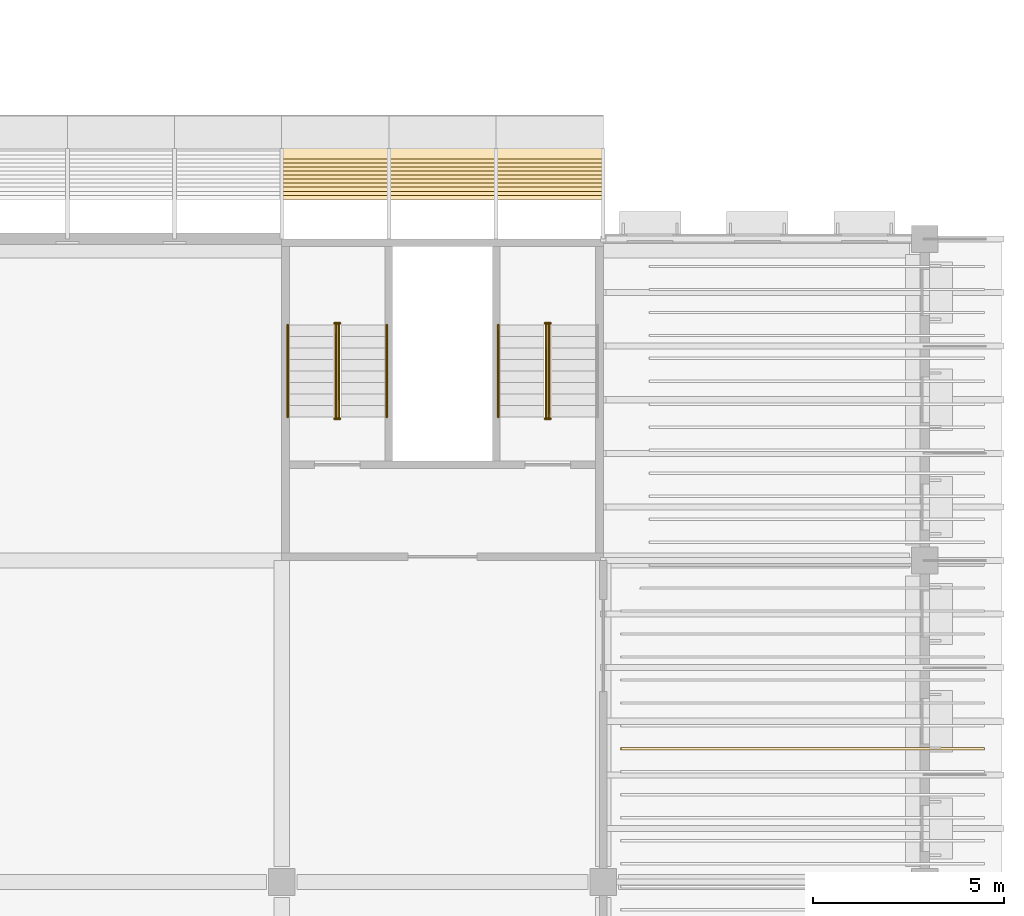
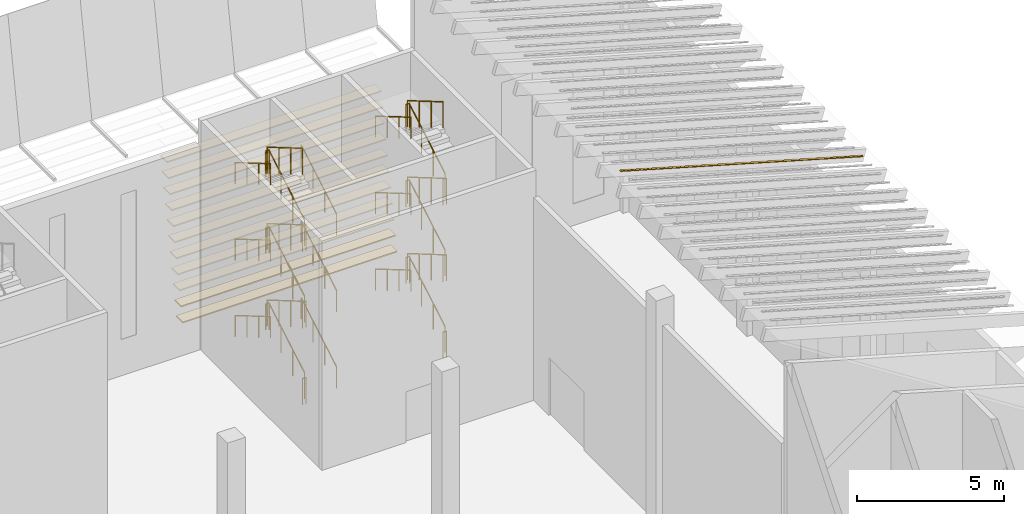
# One storey, part 113 of 114: 33 railings, 12 coverings.
"""IFC4 building model written with IfcOpenShell, lengths in metres."""

import ifcopenshell
import ifcopenshell.guid

model = None  # the IFC model being written
_history = None  # IfcOwnerHistory: only IFC2X3 demands one
_inside = {}  # id of a spatial element -> (the spatial element, [elements in it])
_under = {}  # id of a project, library or spatial element -> (it, [spatial elements below it])
_declared = {}  # id of a project -> (the project, [libraries it declares])
_typed = {}  # id of a type object -> (the type object, [elements of that type])
_made_of = {}  # id of a material, layer set ... -> (it, [elements and type objects made of it])


def new_model(schema):
    """Start an empty IFC model of exactly this schema.

    Asked for "IFC4X3", IfcOpenShell would pick the latest addendum, in which some entities
    have other attributes; the version numbers below select the first issue.
    IFC2X3 requires an IfcOwnerHistory on every rooted entity: one is made here for all.
    """
    global model, _history
    if schema == "IFC4X3":
        model = ifcopenshell.file(schema_version=(4, 3, 0, 0))
    else:
        model = ifcopenshell.file(schema=schema)
    _inside.clear()
    _under.clear()
    _declared.clear()
    _typed.clear()
    _made_of.clear()
    _history = None
    if model.schema == "IFC2X3":
        org = make("IfcOrganization", Name="unknown")
        user = make(
            "IfcPersonAndOrganization",
            ThePerson=make("IfcPerson", FamilyName="unknown"),
            TheOrganization=org,
        )
        app = make(
            "IfcApplication",
            ApplicationDeveloper=org,
            Version="unknown",
            ApplicationFullName="unknown",
            ApplicationIdentifier="unknown",
        )
        _history = make(
            "IfcOwnerHistory",
            OwningUser=user,
            OwningApplication=app,
            ChangeAction="ADDED",
            CreationDate=0,
        )
    return model


def make(cls, **values):
    """One entity of the class cls with the attributes given. An attribute that is None is left unset."""
    return model.create_entity(
        cls, **{name: value for name, value in values.items() if value is not None}
    )


def rooted(cls, **values):
    """An entity with a GlobalId (a new one), such as an element, a storey or a relation."""
    return make(cls, GlobalId=ifcopenshell.guid.new(), OwnerHistory=_history, **values)


def si_unit(unit_type, name, prefix=None):
    """IfcSIUnit, for example si_unit("LENGTHUNIT", "METRE", prefix="MILLI")."""
    return make("IfcSIUnit", UnitType=unit_type, Prefix=prefix, Name=name)


def assignment(units):
    """IfcUnitAssignment: the units of a project."""
    return None if units is None else make("IfcUnitAssignment", Units=units)


def point(xyz):
    """IfcCartesianPoint."""
    return None if xyz is None else make("IfcCartesianPoint", Coordinates=xyz)


def direction(xyz):
    """IfcDirection."""
    return None if xyz is None else make("IfcDirection", DirectionRatios=xyz)


def frame(location, z_axis=None, x_axis=None):
    """IfcAxis2Placement3D, a coordinate frame: its origin and axes. An axis left out is left unset."""
    return make(
        "IfcAxis2Placement3D",
        Location=point(location),
        Axis=direction(z_axis),
        RefDirection=direction(x_axis),
    )


def frame_2d(location, x_axis=None):
    """IfcAxis2Placement2D, a coordinate frame in the plane: its origin and x axis."""
    return make(
        "IfcAxis2Placement2D", Location=point(location), RefDirection=direction(x_axis)
    )


def origin():
    """The frame at (0, 0, 0) with its axes left unset."""
    return frame((0.0, 0.0, 0.0))


def origin_2d():
    """The frame at (0, 0) in the plane with its x axis left unset."""
    return frame_2d((0.0, 0.0))


def place(relative_to, where):
    """IfcLocalPlacement: puts the frame where relative to a parent placement (None: the world)."""
    return make(
        "IfcLocalPlacement", PlacementRelTo=relative_to, RelativePlacement=where
    )


def context(
    kind, dimensions, precision=None, world=None, true_north=None, identifier=None
):
    """IfcGeometricRepresentationContext, for example the 3D "Model" context."""
    return make(
        "IfcGeometricRepresentationContext",
        ContextIdentifier=identifier,
        ContextType=kind,
        CoordinateSpaceDimension=dimensions,
        Precision=precision,
        WorldCoordinateSystem=world,
        TrueNorth=true_north,
    )


def subcontext(parent, identifier, kind, view, scale=None):
    """IfcGeometricRepresentationSubContext, for example "Body" below "Model"."""
    return make(
        "IfcGeometricRepresentationSubContext",
        ContextIdentifier=identifier,
        ContextType=kind,
        ParentContext=parent,
        TargetScale=scale,
        TargetView=view,
    )


def project(units=None, contexts=None):
    """IfcProject with its units and contexts."""
    return rooted(
        "IfcProject",
        Name="project",
        RepresentationContexts=contexts,
        UnitsInContext=assignment(units),
    )


def spatial(cls, under=None, at=None, **own):
    """A site, building, storey or space (cls), placed at a placement, below another one or the project."""
    s = rooted(cls, ObjectPlacement=at, **own)
    if under is not None:
        _under.setdefault(under.id(), (under, []))[1].append(s)
    return s


def polyline(points):
    """IfcPolyline through the points."""
    return make("IfcPolyline", Points=[point(p) for p in points])


def profile(cls, at=None, kind="AREA", **sizes):
    """A parametric profile (cls). Its sizes go by their IFC names, for example OverallWidth=200.0."""
    return make(cls, ProfileType=kind, Position=at, **sizes)


def rectangle(**sizes):
    """IfcRectangleProfileDef."""
    return profile("IfcRectangleProfileDef", **sizes)


def circle(**sizes):
    """IfcCircleProfileDef."""
    return profile("IfcCircleProfileDef", **sizes)


def outline(outer, holes=None, kind="AREA"):
    """IfcArbitraryClosedProfileDef: a profile drawn as a closed curve; with holes, ...WithVoids."""
    if holes is None:
        return make("IfcArbitraryClosedProfileDef", ProfileType=kind, OuterCurve=outer)
    return make(
        "IfcArbitraryProfileDefWithVoids",
        ProfileType=kind,
        OuterCurve=outer,
        InnerCurves=holes,
    )


def extrude(swept, where, along, depth):
    """IfcExtrudedAreaSolid: the profile swept, set in the frame where, extruded along a direction by depth."""
    return make(
        "IfcExtrudedAreaSolid",
        SweptArea=swept,
        Position=where,
        ExtrudedDirection=direction(along),
        Depth=depth,
    )


def shape(context_of_items, identifier, shape_type, items):
    """IfcShapeRepresentation: the items that make up one representation, for example the "Body"."""
    return make(
        "IfcShapeRepresentation",
        ContextOfItems=context_of_items,
        RepresentationIdentifier=identifier,
        RepresentationType=shape_type,
        Items=items,
    )


def material(Name=None, Category=None):
    """IfcMaterial."""
    return make("IfcMaterial", Name=Name, Category=Category)


def layer(
    of_material, thickness, ventilated=None, Name=None, Category=None, Priority=None
):
    """IfcMaterialLayer: one layer of a wall or slab, of a material (None: an air gap)."""
    return make(
        "IfcMaterialLayer",
        Material=of_material,
        LayerThickness=thickness,
        IsVentilated=ventilated,
        Name=Name,
        Category=Category,
        Priority=Priority,
    )


def layer_set(layers, Name=None):
    """IfcMaterialLayerSet."""
    return make("IfcMaterialLayerSet", MaterialLayers=layers, LayerSetName=Name)


def material_profile(
    of_material, cross_section, Name=None, Category=None, Priority=None
):
    """IfcMaterialProfile: a cross section and its material."""
    return make(
        "IfcMaterialProfile",
        Name=Name,
        Material=of_material,
        Profile=cross_section,
        Priority=Priority,
        Category=Category,
    )


def profile_set(profiles, Name=None, composite=None):
    """IfcMaterialProfileSet."""
    return make(
        "IfcMaterialProfileSet",
        Name=Name,
        MaterialProfiles=profiles,
        CompositeProfile=composite,
    )


def made_of(thing, what):
    """Note that an element or type object is made of a material, layer set ...; save() writes the relation."""
    if what is not None:
        _made_of.setdefault(what.id(), (what, []))[1].append(thing)
    return thing


def type_object(cls, material=None, **own):
    """A type object (cls), such as IfcWallType, which elements share."""
    return made_of(rooted(cls, **own), material)


def element(
    cls,
    number,
    at=None,
    inside=None,
    cuts=None,
    type_object=None,
    material=None,
    context=None,
    identifier="Body",
    shape_type=None,
    held_by="IfcProductDefinitionShape",
    body=None,
    shapes=None,
    **own,
):
    """One element of the class cls, such as IfcWall. Its Tag is "e" and its number.

    at: its placement. inside: the storey or other place that contains it. cuts: it is an
    opening in that element (IfcRelVoidsElement). A single representation is given by context,
    identifier, shape_type and body (its items); several are given by shapes. held_by: the class
    of the entity that holds the representations. save() writes the other relations.
    """
    e = rooted(cls, Tag="e%d" % number, ObjectPlacement=at, **own)
    if body is not None:
        shapes = [shape(context, identifier, shape_type, body)]
    if shapes is not None:
        e.Representation = make(held_by, Representations=shapes)
    if inside is not None:
        _inside.setdefault(inside.id(), (inside, []))[1].append(e)
    if cuts is not None:
        rooted(
            "IfcRelVoidsElement", RelatingBuildingElement=cuts, RelatedOpeningElement=e
        )
    if type_object is not None:
        _typed.setdefault(type_object.id(), (type_object, []))[1].append(e)
    return made_of(e, material)


def aggregate(whole, parts):
    """IfcRelAggregates: a whole, such as a stair, and the parts it consists of."""
    return rooted("IfcRelAggregates", RelatingObject=whole, RelatedObjects=parts)


def save(model, path):
    """Write the relations noted so far, then the file.

    IfcRelAggregates (storeys below a building ...), IfcRelContainedInSpatialStructure (elements
    in a storey), IfcRelDefinesByType, IfcRelAssociatesMaterial and IfcRelDeclares: one each for
    every whole, place, type object, material and project.
    """
    for whole, parts in _under.values():
        aggregate(whole, parts)
    for where, things in _inside.values():
        rooted(
            "IfcRelContainedInSpatialStructure",
            RelatedElements=things,
            RelatingStructure=where,
        )
    for kind, things in _typed.values():
        rooted("IfcRelDefinesByType", RelatedObjects=things, RelatingType=kind)
    for what, things in _made_of.values():
        rooted("IfcRelAssociatesMaterial", RelatedObjects=things, RelatingMaterial=what)
    for by, libraries in _declared.values():
        rooted("IfcRelDeclares", RelatingContext=by, RelatedDefinitions=libraries)
    model.write(path)


model = new_model("IFC4")

# Units and contexts
model_context = context("Model", 3, precision=1e-05, world=origin(), true_north=direction((0.0, 1.0)))
body_context = subcontext(model_context, "Body", "Model", "MODEL_VIEW")
ifc_project = project(units=[si_unit("LENGTHUNIT", "METRE"), si_unit("AREAUNIT", "SQUARE_METRE"), si_unit("VOLUMEUNIT", "CUBIC_METRE"), si_unit("PLANEANGLEUNIT", "RADIAN"), si_unit("MASSUNIT", "GRAM", prefix="KILO")], contexts=[model_context])

# Site, building, storey
site_placement = place(None, origin())
site = spatial("IfcSite", under=ifc_project, at=site_placement, CompositionType="ELEMENT")
building_placement = place(site_placement, origin())
building = spatial("IfcBuilding", under=site, at=building_placement, Name="Almond Square Museum", CompositionType="ELEMENT")
storey_placement = place(building_placement, frame((0.0, 0.0, 10.5)))
storey = spatial("IfcBuildingStorey", under=building, at=storey_placement, Name="L02", CompositionType="ELEMENT", Elevation=10.5)

# Coverings
ifc_material_1 = material(Name="Cedar timber louvre board", Category="wood")
ifc_material_profile = material_profile(ifc_material_1, rectangle(XDim=0.449951171875, YDim=0.050048828125, at=origin_2d()))
ifc_profile_set = profile_set([ifc_material_profile], Name="Cedar timber louvre board")
covering_type_1 = type_object("IfcCoveringType", Name="Louvre board 450 x 50", PredefinedType="CLADDING", material=ifc_profile_set)
for number, where, z_axis, x_axis, name in (
    (1, (140.39990234375, 110.45849609375, 0.39990234375), (1.0, 0.0, 0.0), (0.0, 1.0, 0.0), "Louvre board N07.05"),
    (2, (140.39990234375, 110.564453125, 1.0), (1.0, 0.0, 0.0), (0.0, 1.0, 0.0), "Louvre board N08.05"),
    (3, (140.39990234375, 110.670166015625, 1.60009765625), (1.0, 0.0, 0.0), (0.0, 1.0, 0.0), "Louvre board N09.05"),
    (4, (140.39990234375, 110.776123046875, 2.199951171875), (1.0, 0.0, 0.0), (0.0, 1.0, 0.0), "Louvre board N10.05"),
    (5, (140.39990234375, 110.8818359375, 2.800048828125), (1.0, 0.0, 0.0), (0.0, 1.0, 0.0), "Louvre board N11.05"),
    (6, (140.39990234375, 110.987548828125, 3.39990234375), (1.0, 0.0, 0.0), (0.0, 1.0, 0.0), "Louvre board N12.05"),
    (7, (140.39990234375, 111.093505859375, 4.0), (1.0, 0.0, 0.0), (0.0, 1.0, 0.0), "Louvre board N13.05"),
    (8, (140.39990234375, 111.19921875, 4.60009765625), (1.0, 0.0, 0.0), (0.0, 1.0, 0.0), "Louvre board N14.05"),
    (9, (140.39990234375, 111.304931640625, 5.199951171875), (1.0, 0.0, 0.0), (0.0, 1.0, 0.0), "Louvre board N15.05"),
    (10, (140.39990234375, 111.410888671875, 5.800048828125), (1.0, 0.0, 0.0), (0.0, 1.0, 0.0), "Louvre board N16.05"),
    (11, (140.39990234375, 111.5166015625, 6.39990234375), (1.0, 0.0, 0.0), (0.0, 1.0, 0.0), "Louvre board N17.05"),
):
    element("IfcCovering", number, at=place(storey_placement, frame(where, z_axis=z_axis, x_axis=x_axis)), inside=storey, type_object=covering_type_1, Name=name, PredefinedType="CLADDING", context=body_context, shape_type="SweptSolid", body=[
        extrude(rectangle(XDim=0.449951171875, YDim=0.050048828125, at=origin_2d()), origin(), (0.0, 0.0, 1.0), 8.400146484375),
    ])
ifc_material_2 = material(Name="Zinc standing seam")
ifc_layer = layer(ifc_material_2, 0.0400390625)
ifc_layer_set = layer_set([ifc_layer], Name="Zinc standing seam")
covering_type_2 = type_object("IfcCoveringType", Name="Roof standing seam rib 60 x 40", PredefinedType="CLADDING", material=ifc_layer_set)
covering_placement = place(storey_placement, frame((158.75, 95.909912109375, 9.55712890625), z_axis=(0.274727655105, 0.0, 0.9615220827), x_axis=(-0.9615220827, 0.0, 0.274727655105)))
element("IfcCovering", 12, at=covering_placement, inside=storey, type_object=covering_type_2, Name="Roof standing seam rib", PredefinedType="CLADDING", context=body_context, shape_type="SweptSolid", body=[
    extrude(outline(polyline([(0.0, 0.0), (9.880168298704888, 0.0), (9.880168298704888, 0.059814453125000014), (0.0, 0.059814453125000014), (0.0, 0.0)])), origin(), (0.0, 0.0, 1.0), 0.0400390625),
])

# Railings
ifc_material_3 = material(Name="Stainless steel and laminated glass", Category="steel")
railing_type_1 = type_object("IfcRailingType", Name="Stair guard 1100 steel and glass", PredefinedType="GUARDRAIL", material=ifc_material_3)
railing_1_placement = place(storey_placement, frame((141.889892578125, 104.550048828125, 0.176025390625)))
element("IfcRailing", 13, at=railing_1_placement, inside=storey, type_object=railing_type_1, Name="L02 ST-05 stair guard 1", PredefinedType="GUARDRAIL", context=body_context, shape_type="SweptSolid", body=[
    extrude(circle(Radius=0.02392578125, at=origin_2d()), frame((0.0, 0.0, 1.076171875), z_axis=(0.0, 0.862637233918, 0.505823094232), x_axis=(-1.0, 0.0, 0.0)), (0.0, 0.0, 1.0), 2.781982421875),
    extrude(circle(Radius=0.02099609375, at=origin_2d()), origin(), (0.0, 0.0, 1.0), 1.052001953125),
    extrude(circle(Radius=0.02099609375, at=origin_2d()), frame((0.0, 0.800048828125, 0.468994140625)), (0.0, 0.0, 1.0), 1.052001953125),
    extrude(circle(Radius=0.02099609375, at=origin_2d()), frame((0.0, 1.599853515625, 0.938232421875)), (0.0, 0.0, 1.0), 1.052001953125),
    extrude(circle(Radius=0.02099609375, at=origin_2d()), frame((0.0, 2.39990234375, 1.4072265625)), (0.0, 0.0, 1.0), 1.052001953125),
])
railing_2_placement = place(storey_placement, frame((141.919921875, 107.0, 1.583251953125)))
element("IfcRailing", 14, at=railing_2_placement, inside=storey, type_object=railing_type_1, Name="L02 ST-05 stair guard 2", PredefinedType="GUARDRAIL", context=body_context, shape_type="SweptSolid", body=[
    extrude(circle(Radius=0.02392578125, at=origin_2d()), frame((0.0, 0.0, 1.076171875), z_axis=(-1.0, 0.0, 0.0), x_axis=(0.0, -1.0, 0.0)), (0.0, 0.0, 1.0), 0.139892578125),
    extrude(circle(Radius=0.02099609375, at=origin_2d()), origin(), (0.0, 0.0, 1.0), 1.052001953125),
    extrude(circle(Radius=0.02099609375, at=origin_2d()), frame((-0.139892578125, 0.0, 0.0)), (0.0, 0.0, 1.0), 1.052001953125),
])
railing_3_placement = place(storey_placement, frame((141.81005859375, 106.949951171875, 1.75927734375)))
element("IfcRailing", 15, at=railing_3_placement, inside=storey, type_object=railing_type_1, Name="L02 ST-05 stair guard 3", PredefinedType="GUARDRAIL", context=body_context, shape_type="SweptSolid", body=[
    extrude(circle(Radius=0.02392578125, at=origin_2d()), frame((0.0, 0.0, 1.076171875), z_axis=(0.0, -0.86259894172, 0.505888392576), x_axis=(1.0, 0.0, 0.0)), (0.0, 0.0, 1.0), 2.7822265625),
    extrude(circle(Radius=0.02099609375, at=origin_2d()), origin(), (0.0, 0.0, 1.0), 1.052001953125),
    extrude(circle(Radius=0.02099609375, at=origin_2d()), frame((0.0, -0.800048828125, 0.46923828125)), (0.0, 0.0, 1.0), 1.052001953125),
    extrude(circle(Radius=0.02099609375, at=origin_2d()), frame((0.0, -1.599853515625, 0.938232421875)), (0.0, 0.0, 1.0), 1.052001953125),
    extrude(circle(Radius=0.02099609375, at=origin_2d()), frame((0.0, -2.39990234375, 1.407470703125)), (0.0, 0.0, 1.0), 1.052001953125),
])
railing_4_placement = place(storey_placement, frame((141.919921875, 104.5, 3.166748046875)))
element("IfcRailing", 16, at=railing_4_placement, inside=storey, type_object=railing_type_1, Name="L02 ST-05 stair guard 4", PredefinedType="GUARDRAIL", context=body_context, shape_type="SweptSolid", body=[
    extrude(circle(Radius=0.02392578125, at=origin_2d()), frame((0.0, 0.0, 1.076171875), z_axis=(-1.0, 0.0, 0.0), x_axis=(0.0, -1.0, 0.0)), (0.0, 0.0, 1.0), 0.139892578125),
    extrude(circle(Radius=0.02099609375, at=origin_2d()), origin(), (0.0, 0.0, 1.0), 1.052001953125),
    extrude(circle(Radius=0.02099609375, at=origin_2d()), frame((-0.139892578125, 0.0, 0.0)), (0.0, 0.0, 1.0), 1.052001953125),
])
railing_5_placement = place(storey_placement, frame((141.889892578125, 104.550048828125, 3.342529296875)))
element("IfcRailing", 17, at=railing_5_placement, inside=storey, type_object=railing_type_1, Name="L02 ST-05 stair guard 5", PredefinedType="GUARDRAIL", context=body_context, shape_type="SweptSolid", body=[
    extrude(circle(Radius=0.02392578125, at=origin_2d()), frame((0.0, 0.0, 1.076171875), z_axis=(0.0, 0.86259894172, 0.505888392576), x_axis=(-1.0, 0.0, 0.0)), (0.0, 0.0, 1.0), 2.7822265625),
    extrude(circle(Radius=0.02099609375, at=origin_2d()), origin(), (0.0, 0.0, 1.0), 1.052001953125),
    extrude(circle(Radius=0.02099609375, at=origin_2d()), frame((0.0, 0.800048828125, 0.46923828125)), (0.0, 0.0, 1.0), 1.052001953125),
    extrude(circle(Radius=0.02099609375, at=origin_2d()), frame((0.0, 1.599853515625, 0.938232421875)), (0.0, 0.0, 1.0), 1.052001953125),
    extrude(circle(Radius=0.02099609375, at=origin_2d()), frame((0.0, 2.39990234375, 1.407470703125)), (0.0, 0.0, 1.0), 1.052001953125),
])
railing_6_placement = place(storey_placement, frame((141.919921875, 107.0, 4.75)))
element("IfcRailing", 18, at=railing_6_placement, inside=storey, type_object=railing_type_1, Name="L02 ST-05 stair guard 6", PredefinedType="GUARDRAIL", context=body_context, shape_type="SweptSolid", body=[
    extrude(circle(Radius=0.02392578125, at=origin_2d()), frame((0.0, 0.0, 1.076171875), z_axis=(-1.0, 0.0, 0.0), x_axis=(0.0, -1.0, 0.0)), (0.0, 0.0, 1.0), 0.139892578125),
    extrude(circle(Radius=0.02099609375, at=origin_2d()), origin(), (0.0, 0.0, 1.0), 1.052001953125),
    extrude(circle(Radius=0.02099609375, at=origin_2d()), frame((-0.139892578125, 0.0, 0.0)), (0.0, 0.0, 1.0), 1.052001953125),
])
railing_7_placement = place(storey_placement, frame((141.81005859375, 106.949951171875, 4.926025390625)))
element("IfcRailing", 19, at=railing_7_placement, inside=storey, type_object=railing_type_1, Name="L02 ST-05 stair guard 7", PredefinedType="GUARDRAIL", context=body_context, shape_type="SweptSolid", body=[
    extrude(circle(Radius=0.02392578125, at=origin_2d()), frame((0.0, 0.0, 1.076171875), z_axis=(0.0, -0.862637233918, 0.505823094232), x_axis=(1.0, 0.0, 0.0)), (0.0, 0.0, 1.0), 2.781982421875),
    extrude(circle(Radius=0.02099609375, at=origin_2d()), origin(), (0.0, 0.0, 1.0), 1.052001953125),
    extrude(circle(Radius=0.02099609375, at=origin_2d()), frame((0.0, -0.800048828125, 0.468994140625)), (0.0, 0.0, 1.0), 1.052001953125),
    extrude(circle(Radius=0.02099609375, at=origin_2d()), frame((0.0, -1.599853515625, 0.938232421875)), (0.0, 0.0, 1.0), 1.052001953125),
    extrude(circle(Radius=0.02099609375, at=origin_2d()), frame((0.0, -2.39990234375, 1.4072265625)), (0.0, 0.0, 1.0), 1.052001953125),
])
railing_8_placement = place(storey_placement, frame((141.919921875, 104.5, 6.333251953125)))
element("IfcRailing", 20, at=railing_8_placement, inside=storey, type_object=railing_type_1, Name="L02 ST-05 stair guard 8", PredefinedType="GUARDRAIL", context=body_context, shape_type="SweptSolid", body=[
    extrude(circle(Radius=0.02392578125, at=origin_2d()), frame((0.0, 0.0, 1.076171875), z_axis=(-1.0, 0.0, 0.0), x_axis=(0.0, -1.0, 0.0)), (0.0, 0.0, 1.0), 0.139892578125),
    extrude(circle(Radius=0.02099609375, at=origin_2d()), origin(), (0.0, 0.0, 1.0), 1.052001953125),
    extrude(circle(Radius=0.02099609375, at=origin_2d()), frame((-0.139892578125, 0.0, 0.0)), (0.0, 0.0, 1.0), 1.052001953125),
])
railing_9_placement = place(storey_placement, frame((141.889892578125, 104.550048828125, 6.50927734375)))
element("IfcRailing", 21, at=railing_9_placement, inside=storey, type_object=railing_type_1, Name="L02 ST-05 stair guard 9", PredefinedType="GUARDRAIL", context=body_context, shape_type="SweptSolid", body=[
    extrude(circle(Radius=0.02392578125, at=origin_2d()), frame((0.0, 0.0, 1.076171875), z_axis=(0.0, 0.86259894172, 0.505888392576), x_axis=(-1.0, 0.0, 0.0)), (0.0, 0.0, 1.0), 2.7822265625),
    extrude(circle(Radius=0.02099609375, at=origin_2d()), origin(), (0.0, 0.0, 1.0), 1.052001953125),
    extrude(circle(Radius=0.02099609375, at=origin_2d()), frame((0.0, 0.800048828125, 0.46923828125)), (0.0, 0.0, 1.0), 1.052001953125),
    extrude(circle(Radius=0.02099609375, at=origin_2d()), frame((0.0, 1.599853515625, 0.938232421875)), (0.0, 0.0, 1.0), 1.052001953125),
    extrude(circle(Radius=0.02099609375, at=origin_2d()), frame((0.0, 2.39990234375, 1.407470703125)), (0.0, 0.0, 1.0), 1.052001953125),
])
railing_10_placement = place(storey_placement, frame((141.919921875, 107.0, 7.916748046875)))
element("IfcRailing", 22, at=railing_10_placement, inside=storey, type_object=railing_type_1, Name="L02 ST-05 stair guard 10", PredefinedType="GUARDRAIL", context=body_context, shape_type="SweptSolid", body=[
    extrude(circle(Radius=0.02392578125, at=origin_2d()), frame((0.0, 0.0, 1.076171875), z_axis=(-1.0, 0.0, 0.0), x_axis=(0.0, -1.0, 0.0)), (0.0, 0.0, 1.0), 0.139892578125),
    extrude(circle(Radius=0.02099609375, at=origin_2d()), origin(), (0.0, 0.0, 1.0), 1.052001953125),
    extrude(circle(Radius=0.02099609375, at=origin_2d()), frame((-0.139892578125, 0.0, 0.0)), (0.0, 0.0, 1.0), 1.052001953125),
])
railing_11_placement = place(storey_placement, frame((141.81005859375, 106.949951171875, 8.092529296875)))
element("IfcRailing", 23, at=railing_11_placement, inside=storey, type_object=railing_type_1, Name="L02 ST-05 stair guard 11", PredefinedType="GUARDRAIL", context=body_context, shape_type="SweptSolid", body=[
    extrude(circle(Radius=0.02392578125, at=origin_2d()), frame((0.0, 0.0, 1.076171875), z_axis=(0.0, -0.86259894172, 0.505888392576), x_axis=(1.0, 0.0, 0.0)), (0.0, 0.0, 1.0), 2.7822265625),
    extrude(circle(Radius=0.02099609375, at=origin_2d()), origin(), (0.0, 0.0, 1.0), 1.052001953125),
    extrude(circle(Radius=0.02099609375, at=origin_2d()), frame((0.0, -0.800048828125, 0.46923828125)), (0.0, 0.0, 1.0), 1.052001953125),
    extrude(circle(Radius=0.02099609375, at=origin_2d()), frame((0.0, -1.599853515625, 0.938232421875)), (0.0, 0.0, 1.0), 1.052001953125),
    extrude(circle(Radius=0.02099609375, at=origin_2d()), frame((0.0, -2.39990234375, 1.407470703125)), (0.0, 0.0, 1.0), 1.052001953125),
])
railing_12_placement = place(storey_placement, frame((141.919921875, 104.5, 0.0)))
element("IfcRailing", 24, at=railing_12_placement, inside=storey, type_object=railing_type_1, Name="L02 ST-05 stair guard 12", PredefinedType="GUARDRAIL", context=body_context, shape_type="SweptSolid", body=[
    extrude(circle(Radius=0.02392578125, at=origin_2d()), frame((0.0, 0.0, 1.076171875), z_axis=(-1.0, 0.0, 0.0), x_axis=(0.0, -1.0, 0.0)), (0.0, 0.0, 1.0), 0.139892578125),
    extrude(circle(Radius=0.02099609375, at=origin_2d()), origin(), (0.0, 0.0, 1.0), 1.052001953125),
    extrude(circle(Radius=0.02099609375, at=origin_2d()), frame((-0.139892578125, 0.0, 0.0)), (0.0, 0.0, 1.0), 1.052001953125),
])
railing_13_placement = place(storey_placement, frame((147.389892578125, 104.550048828125, 0.176025390625)))
element("IfcRailing", 25, at=railing_13_placement, inside=storey, type_object=railing_type_1, Name="L02 ST-06 stair guard 1", PredefinedType="GUARDRAIL", context=body_context, shape_type="SweptSolid", body=[
    extrude(circle(Radius=0.02392578125, at=origin_2d()), frame((0.0, 0.0, 1.076171875), z_axis=(0.0, 0.862637233918, 0.505823094232), x_axis=(-1.0, 0.0, 0.0)), (0.0, 0.0, 1.0), 2.781982421875),
    extrude(circle(Radius=0.02099609375, at=origin_2d()), origin(), (0.0, 0.0, 1.0), 1.052001953125),
    extrude(circle(Radius=0.02099609375, at=origin_2d()), frame((0.0, 0.800048828125, 0.468994140625)), (0.0, 0.0, 1.0), 1.052001953125),
    extrude(circle(Radius=0.02099609375, at=origin_2d()), frame((0.0, 1.599853515625, 0.938232421875)), (0.0, 0.0, 1.0), 1.052001953125),
    extrude(circle(Radius=0.02099609375, at=origin_2d()), frame((0.0, 2.39990234375, 1.4072265625)), (0.0, 0.0, 1.0), 1.052001953125),
])
railing_14_placement = place(storey_placement, frame((147.419921875, 107.0, 1.583251953125)))
element("IfcRailing", 26, at=railing_14_placement, inside=storey, type_object=railing_type_1, Name="L02 ST-06 stair guard 2", PredefinedType="GUARDRAIL", context=body_context, shape_type="SweptSolid", body=[
    extrude(circle(Radius=0.02392578125, at=origin_2d()), frame((0.0, 0.0, 1.076171875), z_axis=(-1.0, 0.0, 0.0), x_axis=(0.0, -1.0, 0.0)), (0.0, 0.0, 1.0), 0.139892578125),
    extrude(circle(Radius=0.02099609375, at=origin_2d()), origin(), (0.0, 0.0, 1.0), 1.052001953125),
    extrude(circle(Radius=0.02099609375, at=origin_2d()), frame((-0.139892578125, 0.0, 0.0)), (0.0, 0.0, 1.0), 1.052001953125),
])
railing_15_placement = place(storey_placement, frame((147.31005859375, 106.949951171875, 1.75927734375)))
element("IfcRailing", 27, at=railing_15_placement, inside=storey, type_object=railing_type_1, Name="L02 ST-06 stair guard 3", PredefinedType="GUARDRAIL", context=body_context, shape_type="SweptSolid", body=[
    extrude(circle(Radius=0.02392578125, at=origin_2d()), frame((0.0, 0.0, 1.076171875), z_axis=(0.0, -0.86259894172, 0.505888392576), x_axis=(1.0, 0.0, 0.0)), (0.0, 0.0, 1.0), 2.7822265625),
    extrude(circle(Radius=0.02099609375, at=origin_2d()), origin(), (0.0, 0.0, 1.0), 1.052001953125),
    extrude(circle(Radius=0.02099609375, at=origin_2d()), frame((0.0, -0.800048828125, 0.46923828125)), (0.0, 0.0, 1.0), 1.052001953125),
    extrude(circle(Radius=0.02099609375, at=origin_2d()), frame((0.0, -1.599853515625, 0.938232421875)), (0.0, 0.0, 1.0), 1.052001953125),
    extrude(circle(Radius=0.02099609375, at=origin_2d()), frame((0.0, -2.39990234375, 1.407470703125)), (0.0, 0.0, 1.0), 1.052001953125),
])
railing_16_placement = place(storey_placement, frame((147.419921875, 104.5, 3.166748046875)))
element("IfcRailing", 28, at=railing_16_placement, inside=storey, type_object=railing_type_1, Name="L02 ST-06 stair guard 4", PredefinedType="GUARDRAIL", context=body_context, shape_type="SweptSolid", body=[
    extrude(circle(Radius=0.02392578125, at=origin_2d()), frame((0.0, 0.0, 1.076171875), z_axis=(-1.0, 0.0, 0.0), x_axis=(0.0, -1.0, 0.0)), (0.0, 0.0, 1.0), 0.139892578125),
    extrude(circle(Radius=0.02099609375, at=origin_2d()), origin(), (0.0, 0.0, 1.0), 1.052001953125),
    extrude(circle(Radius=0.02099609375, at=origin_2d()), frame((-0.139892578125, 0.0, 0.0)), (0.0, 0.0, 1.0), 1.052001953125),
])
railing_17_placement = place(storey_placement, frame((147.389892578125, 104.550048828125, 3.342529296875)))
element("IfcRailing", 29, at=railing_17_placement, inside=storey, type_object=railing_type_1, Name="L02 ST-06 stair guard 5", PredefinedType="GUARDRAIL", context=body_context, shape_type="SweptSolid", body=[
    extrude(circle(Radius=0.02392578125, at=origin_2d()), frame((0.0, 0.0, 1.076171875), z_axis=(0.0, 0.86259894172, 0.505888392576), x_axis=(-1.0, 0.0, 0.0)), (0.0, 0.0, 1.0), 2.7822265625),
    extrude(circle(Radius=0.02099609375, at=origin_2d()), origin(), (0.0, 0.0, 1.0), 1.052001953125),
    extrude(circle(Radius=0.02099609375, at=origin_2d()), frame((0.0, 0.800048828125, 0.46923828125)), (0.0, 0.0, 1.0), 1.052001953125),
    extrude(circle(Radius=0.02099609375, at=origin_2d()), frame((0.0, 1.599853515625, 0.938232421875)), (0.0, 0.0, 1.0), 1.052001953125),
    extrude(circle(Radius=0.02099609375, at=origin_2d()), frame((0.0, 2.39990234375, 1.407470703125)), (0.0, 0.0, 1.0), 1.052001953125),
])
railing_18_placement = place(storey_placement, frame((147.419921875, 107.0, 4.75)))
element("IfcRailing", 30, at=railing_18_placement, inside=storey, type_object=railing_type_1, Name="L02 ST-06 stair guard 6", PredefinedType="GUARDRAIL", context=body_context, shape_type="SweptSolid", body=[
    extrude(circle(Radius=0.02392578125, at=origin_2d()), frame((0.0, 0.0, 1.076171875), z_axis=(-1.0, 0.0, 0.0), x_axis=(0.0, -1.0, 0.0)), (0.0, 0.0, 1.0), 0.139892578125),
    extrude(circle(Radius=0.02099609375, at=origin_2d()), origin(), (0.0, 0.0, 1.0), 1.052001953125),
    extrude(circle(Radius=0.02099609375, at=origin_2d()), frame((-0.139892578125, 0.0, 0.0)), (0.0, 0.0, 1.0), 1.052001953125),
])
railing_19_placement = place(storey_placement, frame((147.31005859375, 106.949951171875, 4.926025390625)))
element("IfcRailing", 31, at=railing_19_placement, inside=storey, type_object=railing_type_1, Name="L02 ST-06 stair guard 7", PredefinedType="GUARDRAIL", context=body_context, shape_type="SweptSolid", body=[
    extrude(circle(Radius=0.02392578125, at=origin_2d()), frame((0.0, 0.0, 1.076171875), z_axis=(0.0, -0.862637233918, 0.505823094232), x_axis=(1.0, 0.0, 0.0)), (0.0, 0.0, 1.0), 2.781982421875),
    extrude(circle(Radius=0.02099609375, at=origin_2d()), origin(), (0.0, 0.0, 1.0), 1.052001953125),
    extrude(circle(Radius=0.02099609375, at=origin_2d()), frame((0.0, -0.800048828125, 0.468994140625)), (0.0, 0.0, 1.0), 1.052001953125),
    extrude(circle(Radius=0.02099609375, at=origin_2d()), frame((0.0, -1.599853515625, 0.938232421875)), (0.0, 0.0, 1.0), 1.052001953125),
    extrude(circle(Radius=0.02099609375, at=origin_2d()), frame((0.0, -2.39990234375, 1.4072265625)), (0.0, 0.0, 1.0), 1.052001953125),
])
railing_20_placement = place(storey_placement, frame((147.419921875, 104.5, 6.333251953125)))
element("IfcRailing", 32, at=railing_20_placement, inside=storey, type_object=railing_type_1, Name="L02 ST-06 stair guard 8", PredefinedType="GUARDRAIL", context=body_context, shape_type="SweptSolid", body=[
    extrude(circle(Radius=0.02392578125, at=origin_2d()), frame((0.0, 0.0, 1.076171875), z_axis=(-1.0, 0.0, 0.0), x_axis=(0.0, -1.0, 0.0)), (0.0, 0.0, 1.0), 0.139892578125),
    extrude(circle(Radius=0.02099609375, at=origin_2d()), origin(), (0.0, 0.0, 1.0), 1.052001953125),
    extrude(circle(Radius=0.02099609375, at=origin_2d()), frame((-0.139892578125, 0.0, 0.0)), (0.0, 0.0, 1.0), 1.052001953125),
])
railing_21_placement = place(storey_placement, frame((147.389892578125, 104.550048828125, 6.50927734375)))
element("IfcRailing", 33, at=railing_21_placement, inside=storey, type_object=railing_type_1, Name="L02 ST-06 stair guard 9", PredefinedType="GUARDRAIL", context=body_context, shape_type="SweptSolid", body=[
    extrude(circle(Radius=0.02392578125, at=origin_2d()), frame((0.0, 0.0, 1.076171875), z_axis=(0.0, 0.86259894172, 0.505888392576), x_axis=(-1.0, 0.0, 0.0)), (0.0, 0.0, 1.0), 2.7822265625),
    extrude(circle(Radius=0.02099609375, at=origin_2d()), origin(), (0.0, 0.0, 1.0), 1.052001953125),
    extrude(circle(Radius=0.02099609375, at=origin_2d()), frame((0.0, 0.800048828125, 0.46923828125)), (0.0, 0.0, 1.0), 1.052001953125),
    extrude(circle(Radius=0.02099609375, at=origin_2d()), frame((0.0, 1.599853515625, 0.938232421875)), (0.0, 0.0, 1.0), 1.052001953125),
    extrude(circle(Radius=0.02099609375, at=origin_2d()), frame((0.0, 2.39990234375, 1.407470703125)), (0.0, 0.0, 1.0), 1.052001953125),
])
railing_22_placement = place(storey_placement, frame((147.419921875, 107.0, 7.916748046875)))
element("IfcRailing", 34, at=railing_22_placement, inside=storey, type_object=railing_type_1, Name="L02 ST-06 stair guard 10", PredefinedType="GUARDRAIL", context=body_context, shape_type="SweptSolid", body=[
    extrude(circle(Radius=0.02392578125, at=origin_2d()), frame((0.0, 0.0, 1.076171875), z_axis=(-1.0, 0.0, 0.0), x_axis=(0.0, -1.0, 0.0)), (0.0, 0.0, 1.0), 0.139892578125),
    extrude(circle(Radius=0.02099609375, at=origin_2d()), origin(), (0.0, 0.0, 1.0), 1.052001953125),
    extrude(circle(Radius=0.02099609375, at=origin_2d()), frame((-0.139892578125, 0.0, 0.0)), (0.0, 0.0, 1.0), 1.052001953125),
])
railing_23_placement = place(storey_placement, frame((147.31005859375, 106.949951171875, 8.092529296875)))
element("IfcRailing", 35, at=railing_23_placement, inside=storey, type_object=railing_type_1, Name="L02 ST-06 stair guard 11", PredefinedType="GUARDRAIL", context=body_context, shape_type="SweptSolid", body=[
    extrude(circle(Radius=0.02392578125, at=origin_2d()), frame((0.0, 0.0, 1.076171875), z_axis=(0.0, -0.86259894172, 0.505888392576), x_axis=(1.0, 0.0, 0.0)), (0.0, 0.0, 1.0), 2.7822265625),
    extrude(circle(Radius=0.02099609375, at=origin_2d()), origin(), (0.0, 0.0, 1.0), 1.052001953125),
    extrude(circle(Radius=0.02099609375, at=origin_2d()), frame((0.0, -0.800048828125, 0.46923828125)), (0.0, 0.0, 1.0), 1.052001953125),
    extrude(circle(Radius=0.02099609375, at=origin_2d()), frame((0.0, -1.599853515625, 0.938232421875)), (0.0, 0.0, 1.0), 1.052001953125),
    extrude(circle(Radius=0.02099609375, at=origin_2d()), frame((0.0, -2.39990234375, 1.407470703125)), (0.0, 0.0, 1.0), 1.052001953125),
])
railing_24_placement = place(storey_placement, frame((147.419921875, 104.5, 0.0)))
element("IfcRailing", 36, at=railing_24_placement, inside=storey, type_object=railing_type_1, Name="L02 ST-06 stair guard 12", PredefinedType="GUARDRAIL", context=body_context, shape_type="SweptSolid", body=[
    extrude(circle(Radius=0.02392578125, at=origin_2d()), frame((0.0, 0.0, 1.076171875), z_axis=(-1.0, 0.0, 0.0), x_axis=(0.0, -1.0, 0.0)), (0.0, 0.0, 1.0), 0.139892578125),
    extrude(circle(Radius=0.02099609375, at=origin_2d()), origin(), (0.0, 0.0, 1.0), 1.052001953125),
    extrude(circle(Radius=0.02099609375, at=origin_2d()), frame((-0.139892578125, 0.0, 0.0)), (0.0, 0.0, 1.0), 1.052001953125),
])
ifc_material_4 = material(Name="Stainless steel", Category="steel")
railing_type_2 = type_object("IfcRailingType", Name="Stair handrail 900 steel", PredefinedType="HANDRAIL", material=ifc_material_4)
railing_25_placement = place(storey_placement, frame((143.14501953125, 104.550048828125, 0.176025390625)))
element("IfcRailing", 37, at=railing_25_placement, inside=storey, type_object=railing_type_2, Name="L02 ST-05 stair handrail 1", PredefinedType="HANDRAIL", context=body_context, shape_type="SweptSolid", body=[
    extrude(circle(Radius=0.02392578125, at=origin_2d()), frame((0.0, 0.0, 0.8759765625), z_axis=(0.0, 0.862637233918, 0.505823094232), x_axis=(-1.0, 0.0, 0.0)), (0.0, 0.0, 1.0), 2.781982421875),
    extrude(circle(Radius=0.02099609375, at=origin_2d()), origin(), (0.0, 0.0, 1.0), 0.851806640625),
    extrude(circle(Radius=0.02099609375, at=origin_2d()), frame((0.0, 0.800048828125, 0.468994140625)), (0.0, 0.0, 1.0), 0.851806640625),
    extrude(circle(Radius=0.02099609375, at=origin_2d()), frame((0.0, 1.599853515625, 0.938232421875)), (0.0, 0.0, 1.0), 0.851806640625),
    extrude(circle(Radius=0.02099609375, at=origin_2d()), frame((0.0, 2.39990234375, 1.4072265625)), (0.0, 0.0, 1.0), 0.851806640625),
])
railing_26_placement = place(storey_placement, frame((140.554931640625, 106.949951171875, 1.75927734375)))
element("IfcRailing", 38, at=railing_26_placement, inside=storey, type_object=railing_type_2, Name="L02 ST-05 stair handrail 2", PredefinedType="HANDRAIL", context=body_context, shape_type="SweptSolid", body=[
    extrude(circle(Radius=0.02392578125, at=origin_2d()), frame((0.0, 0.0, 0.8759765625), z_axis=(0.0, -0.86259894172, 0.505888392576), x_axis=(1.0, 0.0, 0.0)), (0.0, 0.0, 1.0), 2.7822265625),
    extrude(circle(Radius=0.02099609375, at=origin_2d()), origin(), (0.0, 0.0, 1.0), 0.851806640625),
    extrude(circle(Radius=0.02099609375, at=origin_2d()), frame((0.0, -0.800048828125, 0.46923828125)), (0.0, 0.0, 1.0), 0.851806640625),
    extrude(circle(Radius=0.02099609375, at=origin_2d()), frame((0.0, -1.599853515625, 0.938232421875)), (0.0, 0.0, 1.0), 0.851806640625),
    extrude(circle(Radius=0.02099609375, at=origin_2d()), frame((0.0, -2.39990234375, 1.407470703125)), (0.0, 0.0, 1.0), 0.851806640625),
])
railing_27_placement = place(storey_placement, frame((143.14501953125, 104.550048828125, 3.342529296875)))
element("IfcRailing", 39, at=railing_27_placement, inside=storey, type_object=railing_type_2, Name="L02 ST-05 stair handrail 3", PredefinedType="HANDRAIL", context=body_context, shape_type="SweptSolid", body=[
    extrude(circle(Radius=0.02392578125, at=origin_2d()), frame((0.0, 0.0, 0.8759765625), z_axis=(0.0, 0.86259894172, 0.505888392576), x_axis=(-1.0, 0.0, 0.0)), (0.0, 0.0, 1.0), 2.7822265625),
    extrude(circle(Radius=0.02099609375, at=origin_2d()), origin(), (0.0, 0.0, 1.0), 0.851806640625),
    extrude(circle(Radius=0.02099609375, at=origin_2d()), frame((0.0, 0.800048828125, 0.46923828125)), (0.0, 0.0, 1.0), 0.851806640625),
    extrude(circle(Radius=0.02099609375, at=origin_2d()), frame((0.0, 1.599853515625, 0.938232421875)), (0.0, 0.0, 1.0), 0.851806640625),
    extrude(circle(Radius=0.02099609375, at=origin_2d()), frame((0.0, 2.39990234375, 1.407470703125)), (0.0, 0.0, 1.0), 0.851806640625),
])
railing_28_placement = place(storey_placement, frame((140.554931640625, 106.949951171875, 4.926025390625)))
element("IfcRailing", 40, at=railing_28_placement, inside=storey, type_object=railing_type_2, Name="L02 ST-05 stair handrail 4", PredefinedType="HANDRAIL", context=body_context, shape_type="SweptSolid", body=[
    extrude(circle(Radius=0.02392578125, at=origin_2d()), frame((0.0, 0.0, 0.8759765625), z_axis=(0.0, -0.862637233918, 0.505823094232), x_axis=(1.0, 0.0, 0.0)), (0.0, 0.0, 1.0), 2.781982421875),
    extrude(circle(Radius=0.02099609375, at=origin_2d()), origin(), (0.0, 0.0, 1.0), 0.851806640625),
    extrude(circle(Radius=0.02099609375, at=origin_2d()), frame((0.0, -0.800048828125, 0.468994140625)), (0.0, 0.0, 1.0), 0.851806640625),
    extrude(circle(Radius=0.02099609375, at=origin_2d()), frame((0.0, -1.599853515625, 0.938232421875)), (0.0, 0.0, 1.0), 0.851806640625),
    extrude(circle(Radius=0.02099609375, at=origin_2d()), frame((0.0, -2.39990234375, 1.4072265625)), (0.0, 0.0, 1.0), 0.851806640625),
])
railing_29_placement = place(storey_placement, frame((143.14501953125, 104.550048828125, 6.50927734375)))
element("IfcRailing", 41, at=railing_29_placement, inside=storey, type_object=railing_type_2, Name="L02 ST-05 stair handrail 5", PredefinedType="HANDRAIL", context=body_context, shape_type="SweptSolid", body=[
    extrude(circle(Radius=0.02392578125, at=origin_2d()), frame((0.0, 0.0, 0.8759765625), z_axis=(0.0, 0.86259894172, 0.505888392576), x_axis=(-1.0, 0.0, 0.0)), (0.0, 0.0, 1.0), 2.7822265625),
    extrude(circle(Radius=0.02099609375, at=origin_2d()), origin(), (0.0, 0.0, 1.0), 0.851806640625),
    extrude(circle(Radius=0.02099609375, at=origin_2d()), frame((0.0, 0.800048828125, 0.46923828125)), (0.0, 0.0, 1.0), 0.851806640625),
    extrude(circle(Radius=0.02099609375, at=origin_2d()), frame((0.0, 1.599853515625, 0.938232421875)), (0.0, 0.0, 1.0), 0.851806640625),
    extrude(circle(Radius=0.02099609375, at=origin_2d()), frame((0.0, 2.39990234375, 1.407470703125)), (0.0, 0.0, 1.0), 0.851806640625),
])
for number, where, name in (
    (42, (140.554931640625, 106.949951171875, 8.092529296875), "L02 ST-05 stair handrail 6"),
    (43, (146.054931640625, 106.949951171875, 1.75927734375), "L02 ST-06 stair handrail 2"),
):
    element("IfcRailing", number, at=place(storey_placement, frame(where)), inside=storey, type_object=railing_type_2, Name=name, PredefinedType="HANDRAIL", context=body_context, shape_type="SweptSolid", body=[
        extrude(circle(Radius=0.02392578125, at=origin_2d()), frame((0.0, 0.0, 0.8759765625), z_axis=(0.0, -0.86259894172, 0.505888392576), x_axis=(1.0, 0.0, 0.0)), (0.0, 0.0, 1.0), 2.7822265625),
        extrude(circle(Radius=0.02099609375, at=origin_2d()), origin(), (0.0, 0.0, 1.0), 0.851806640625),
        extrude(circle(Radius=0.02099609375, at=origin_2d()), frame((0.0, -0.800048828125, 0.46923828125)), (0.0, 0.0, 1.0), 0.851806640625),
        extrude(circle(Radius=0.02099609375, at=origin_2d()), frame((0.0, -1.599853515625, 0.938232421875)), (0.0, 0.0, 1.0), 0.851806640625),
        extrude(circle(Radius=0.02099609375, at=origin_2d()), frame((0.0, -2.39990234375, 1.407470703125)), (0.0, 0.0, 1.0), 0.851806640625),
    ])
railing_30_placement = place(storey_placement, frame((146.054931640625, 106.949951171875, 4.926025390625)))
element("IfcRailing", 44, at=railing_30_placement, inside=storey, type_object=railing_type_2, Name="L02 ST-06 stair handrail 4", PredefinedType="HANDRAIL", context=body_context, shape_type="SweptSolid", body=[
    extrude(circle(Radius=0.02392578125, at=origin_2d()), frame((0.0, 0.0, 0.8759765625), z_axis=(0.0, -0.862637233918, 0.505823094232), x_axis=(1.0, 0.0, 0.0)), (0.0, 0.0, 1.0), 2.781982421875),
    extrude(circle(Radius=0.02099609375, at=origin_2d()), origin(), (0.0, 0.0, 1.0), 0.851806640625),
    extrude(circle(Radius=0.02099609375, at=origin_2d()), frame((0.0, -0.800048828125, 0.468994140625)), (0.0, 0.0, 1.0), 0.851806640625),
    extrude(circle(Radius=0.02099609375, at=origin_2d()), frame((0.0, -1.599853515625, 0.938232421875)), (0.0, 0.0, 1.0), 0.851806640625),
    extrude(circle(Radius=0.02099609375, at=origin_2d()), frame((0.0, -2.39990234375, 1.4072265625)), (0.0, 0.0, 1.0), 0.851806640625),
])
railing_31_placement = place(storey_placement, frame((146.054931640625, 106.949951171875, 8.092529296875)))
element("IfcRailing", 45, at=railing_31_placement, inside=storey, type_object=railing_type_2, Name="L02 ST-06 stair handrail 6", PredefinedType="HANDRAIL", context=body_context, shape_type="SweptSolid", body=[
    extrude(circle(Radius=0.02392578125, at=origin_2d()), frame((0.0, 0.0, 0.8759765625), z_axis=(0.0, -0.86259894172, 0.505888392576), x_axis=(1.0, 0.0, 0.0)), (0.0, 0.0, 1.0), 2.7822265625),
    extrude(circle(Radius=0.02099609375, at=origin_2d()), origin(), (0.0, 0.0, 1.0), 0.851806640625),
    extrude(circle(Radius=0.02099609375, at=origin_2d()), frame((0.0, -0.800048828125, 0.46923828125)), (0.0, 0.0, 1.0), 0.851806640625),
    extrude(circle(Radius=0.02099609375, at=origin_2d()), frame((0.0, -1.599853515625, 0.938232421875)), (0.0, 0.0, 1.0), 0.851806640625),
    extrude(circle(Radius=0.02099609375, at=origin_2d()), frame((0.0, -2.39990234375, 1.407470703125)), (0.0, 0.0, 1.0), 0.851806640625),
])

save(model, "model.ifc")
